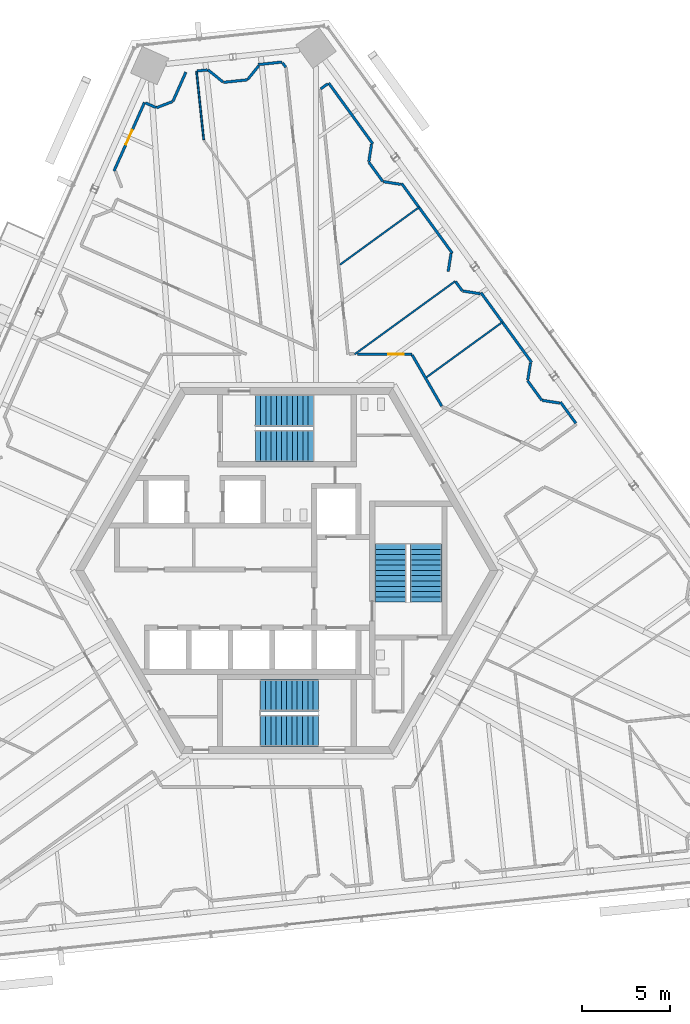
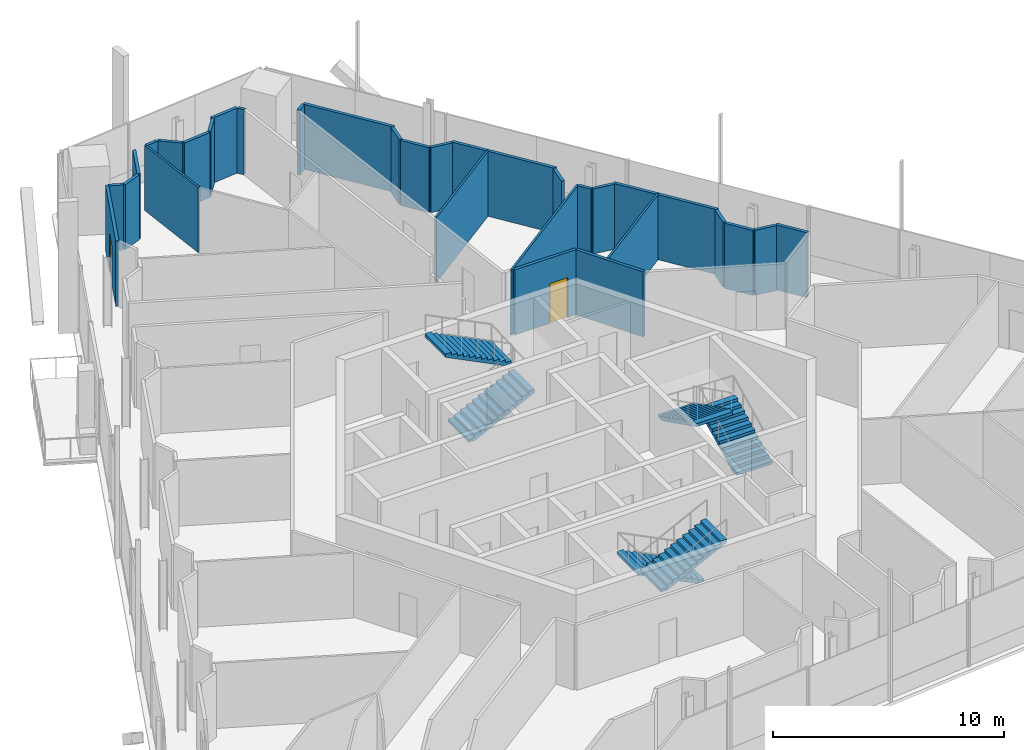
# One storey, part 15 of 21: 30 walls, 6 stair flights, 2 doors, 2 openings, 3 elements without a shape of their own.
"""IFC4 building model written with IfcOpenShell, lengths in metres."""

import ifcopenshell
import ifcopenshell.guid

model = None  # the IFC model being written
_history = None  # IfcOwnerHistory: only IFC2X3 demands one
_inside = {}  # id of a spatial element -> (the spatial element, [elements in it])
_under = {}  # id of a project, library or spatial element -> (it, [spatial elements below it])
_declared = {}  # id of a project -> (the project, [libraries it declares])
_typed = {}  # id of a type object -> (the type object, [elements of that type])
_made_of = {}  # id of a material, layer set ... -> (it, [elements and type objects made of it])


def new_model(schema):
    """Start an empty IFC model of exactly this schema.

    Asked for "IFC4X3", IfcOpenShell would pick the latest addendum, in which some entities
    have other attributes; the version numbers below select the first issue.
    IFC2X3 requires an IfcOwnerHistory on every rooted entity: one is made here for all.
    """
    global model, _history
    if schema == "IFC4X3":
        model = ifcopenshell.file(schema_version=(4, 3, 0, 0))
    else:
        model = ifcopenshell.file(schema=schema)
    _inside.clear()
    _under.clear()
    _declared.clear()
    _typed.clear()
    _made_of.clear()
    _history = None
    if model.schema == "IFC2X3":
        org = make("IfcOrganization", Name="unknown")
        user = make(
            "IfcPersonAndOrganization",
            ThePerson=make("IfcPerson", FamilyName="unknown"),
            TheOrganization=org,
        )
        app = make(
            "IfcApplication",
            ApplicationDeveloper=org,
            Version="unknown",
            ApplicationFullName="unknown",
            ApplicationIdentifier="unknown",
        )
        _history = make(
            "IfcOwnerHistory",
            OwningUser=user,
            OwningApplication=app,
            ChangeAction="ADDED",
            CreationDate=0,
        )
    return model


def make(cls, **values):
    """One entity of the class cls with the attributes given. An attribute that is None is left unset."""
    return model.create_entity(
        cls, **{name: value for name, value in values.items() if value is not None}
    )


def rooted(cls, **values):
    """An entity with a GlobalId (a new one), such as an element, a storey or a relation."""
    return make(cls, GlobalId=ifcopenshell.guid.new(), OwnerHistory=_history, **values)


def si_unit(unit_type, name, prefix=None):
    """IfcSIUnit, for example si_unit("LENGTHUNIT", "METRE", prefix="MILLI")."""
    return make("IfcSIUnit", UnitType=unit_type, Prefix=prefix, Name=name)


def assignment(units):
    """IfcUnitAssignment: the units of a project."""
    return None if units is None else make("IfcUnitAssignment", Units=units)


def point(xyz):
    """IfcCartesianPoint."""
    return None if xyz is None else make("IfcCartesianPoint", Coordinates=xyz)


def direction(xyz):
    """IfcDirection."""
    return None if xyz is None else make("IfcDirection", DirectionRatios=xyz)


def frame(location, z_axis=None, x_axis=None):
    """IfcAxis2Placement3D, a coordinate frame: its origin and axes. An axis left out is left unset."""
    return make(
        "IfcAxis2Placement3D",
        Location=point(location),
        Axis=direction(z_axis),
        RefDirection=direction(x_axis),
    )


def frame_2d(location, x_axis=None):
    """IfcAxis2Placement2D, a coordinate frame in the plane: its origin and x axis."""
    return make(
        "IfcAxis2Placement2D", Location=point(location), RefDirection=direction(x_axis)
    )


def origin():
    """The frame at (0, 0, 0) with its axes left unset."""
    return frame((0.0, 0.0, 0.0))


def place(relative_to, where):
    """IfcLocalPlacement: puts the frame where relative to a parent placement (None: the world)."""
    return make(
        "IfcLocalPlacement", PlacementRelTo=relative_to, RelativePlacement=where
    )


def context(
    kind, dimensions, precision=None, world=None, true_north=None, identifier=None
):
    """IfcGeometricRepresentationContext, for example the 3D "Model" context."""
    return make(
        "IfcGeometricRepresentationContext",
        ContextIdentifier=identifier,
        ContextType=kind,
        CoordinateSpaceDimension=dimensions,
        Precision=precision,
        WorldCoordinateSystem=world,
        TrueNorth=true_north,
    )


def subcontext(parent, identifier, kind, view, scale=None):
    """IfcGeometricRepresentationSubContext, for example "Body" below "Model"."""
    return make(
        "IfcGeometricRepresentationSubContext",
        ContextIdentifier=identifier,
        ContextType=kind,
        ParentContext=parent,
        TargetScale=scale,
        TargetView=view,
    )


def project(units=None, contexts=None):
    """IfcProject with its units and contexts."""
    return rooted(
        "IfcProject",
        Name="project",
        RepresentationContexts=contexts,
        UnitsInContext=assignment(units),
    )


def spatial(cls, under=None, at=None, **own):
    """A site, building, storey or space (cls), placed at a placement, below another one or the project."""
    s = rooted(cls, ObjectPlacement=at, **own)
    if under is not None:
        _under.setdefault(under.id(), (under, []))[1].append(s)
    return s


def polyline(points):
    """IfcPolyline through the points."""
    return make("IfcPolyline", Points=[point(p) for p in points])


def profile(cls, at=None, kind="AREA", **sizes):
    """A parametric profile (cls). Its sizes go by their IFC names, for example OverallWidth=200.0."""
    return make(cls, ProfileType=kind, Position=at, **sizes)


def rectangle(**sizes):
    """IfcRectangleProfileDef."""
    return profile("IfcRectangleProfileDef", **sizes)


def outline(outer, holes=None, kind="AREA"):
    """IfcArbitraryClosedProfileDef: a profile drawn as a closed curve; with holes, ...WithVoids."""
    if holes is None:
        return make("IfcArbitraryClosedProfileDef", ProfileType=kind, OuterCurve=outer)
    return make(
        "IfcArbitraryProfileDefWithVoids",
        ProfileType=kind,
        OuterCurve=outer,
        InnerCurves=holes,
    )


def extrude(swept, where, along, depth):
    """IfcExtrudedAreaSolid: the profile swept, set in the frame where, extruded along a direction by depth."""
    return make(
        "IfcExtrudedAreaSolid",
        SweptArea=swept,
        Position=where,
        ExtrudedDirection=direction(along),
        Depth=depth,
    )


def shape(context_of_items, identifier, shape_type, items):
    """IfcShapeRepresentation: the items that make up one representation, for example the "Body"."""
    return make(
        "IfcShapeRepresentation",
        ContextOfItems=context_of_items,
        RepresentationIdentifier=identifier,
        RepresentationType=shape_type,
        Items=items,
    )


def source(mapping_origin, context_of_items, identifier, shape_type, items):
    """IfcRepresentationMap: a shape defined once, which mapped items show again and again."""
    return make(
        "IfcRepresentationMap",
        MappingOrigin=mapping_origin,
        MappedRepresentation=shape(context_of_items, identifier, shape_type, items),
    )


def transform(
    local_origin,
    x_axis=None,
    y_axis=None,
    z_axis=None,
    scale=None,
    scale2=None,
    scale3=None,
    uniform=True,
):
    """IfcCartesianTransformationOperator3D, or its non-uniform kind. x_axis, y_axis, z_axis: its Axis1, 2, 3."""
    if uniform:
        return make(
            "IfcCartesianTransformationOperator3D",
            Axis1=direction(x_axis),
            Axis2=direction(y_axis),
            LocalOrigin=point(local_origin),
            Scale=scale,
            Axis3=direction(z_axis),
        )
    return make(
        "IfcCartesianTransformationOperator3DnonUniform",
        Axis1=direction(x_axis),
        Axis2=direction(y_axis),
        LocalOrigin=point(local_origin),
        Scale=scale,
        Axis3=direction(z_axis),
        Scale2=scale2,
        Scale3=scale3,
    )


def mapped(mapping_source, mapping_target):
    """IfcMappedItem: shows the shape of a source again, moved by a transform."""
    return make(
        "IfcMappedItem", MappingSource=mapping_source, MappingTarget=mapping_target
    )


def material(Name=None, Category=None):
    """IfcMaterial."""
    return make("IfcMaterial", Name=Name, Category=Category)


def layer(
    of_material, thickness, ventilated=None, Name=None, Category=None, Priority=None
):
    """IfcMaterialLayer: one layer of a wall or slab, of a material (None: an air gap)."""
    return make(
        "IfcMaterialLayer",
        Material=of_material,
        LayerThickness=thickness,
        IsVentilated=ventilated,
        Name=Name,
        Category=Category,
        Priority=Priority,
    )


def layer_set(layers, Name=None):
    """IfcMaterialLayerSet."""
    return make("IfcMaterialLayerSet", MaterialLayers=layers, LayerSetName=Name)


def made_of(thing, what):
    """Note that an element or type object is made of a material, layer set ...; save() writes the relation."""
    if what is not None:
        _made_of.setdefault(what.id(), (what, []))[1].append(thing)
    return thing


def type_object(cls, material=None, **own):
    """A type object (cls), such as IfcWallType, which elements share."""
    return made_of(rooted(cls, **own), material)


def element(
    cls,
    number,
    at=None,
    inside=None,
    cuts=None,
    type_object=None,
    material=None,
    context=None,
    identifier="Body",
    shape_type=None,
    held_by="IfcProductDefinitionShape",
    body=None,
    shapes=None,
    **own,
):
    """One element of the class cls, such as IfcWall. Its Tag is "e" and its number.

    at: its placement. inside: the storey or other place that contains it. cuts: it is an
    opening in that element (IfcRelVoidsElement). A single representation is given by context,
    identifier, shape_type and body (its items); several are given by shapes. held_by: the class
    of the entity that holds the representations. save() writes the other relations.
    """
    e = rooted(cls, Tag="e%d" % number, ObjectPlacement=at, **own)
    if body is not None:
        shapes = [shape(context, identifier, shape_type, body)]
    if shapes is not None:
        e.Representation = make(held_by, Representations=shapes)
    if inside is not None:
        _inside.setdefault(inside.id(), (inside, []))[1].append(e)
    if cuts is not None:
        rooted(
            "IfcRelVoidsElement", RelatingBuildingElement=cuts, RelatedOpeningElement=e
        )
    if type_object is not None:
        _typed.setdefault(type_object.id(), (type_object, []))[1].append(e)
    return made_of(e, material)


def fill(opening, filler):
    """IfcRelFillsElement: the door or window that sits in an opening."""
    return rooted(
        "IfcRelFillsElement",
        RelatingOpeningElement=opening,
        RelatedBuildingElement=filler,
    )


def aggregate(whole, parts):
    """IfcRelAggregates: a whole, such as a stair, and the parts it consists of."""
    return rooted("IfcRelAggregates", RelatingObject=whole, RelatedObjects=parts)


def save(model, path):
    """Write the relations noted so far, then the file.

    IfcRelAggregates (storeys below a building ...), IfcRelContainedInSpatialStructure (elements
    in a storey), IfcRelDefinesByType, IfcRelAssociatesMaterial and IfcRelDeclares: one each for
    every whole, place, type object, material and project.
    """
    for whole, parts in _under.values():
        aggregate(whole, parts)
    for where, things in _inside.values():
        rooted(
            "IfcRelContainedInSpatialStructure",
            RelatedElements=things,
            RelatingStructure=where,
        )
    for kind, things in _typed.values():
        rooted("IfcRelDefinesByType", RelatedObjects=things, RelatingType=kind)
    for what, things in _made_of.values():
        rooted("IfcRelAssociatesMaterial", RelatedObjects=things, RelatingMaterial=what)
    for by, libraries in _declared.values():
        rooted("IfcRelDeclares", RelatingContext=by, RelatedDefinitions=libraries)
    model.write(path)


model = new_model("IFC4")

# Units and contexts
model_context = context("Model", 3, precision=1e-05, world=origin(), true_north=direction((0.0, 1.0)))
body_context = subcontext(model_context, "Body", "Model", "MODEL_VIEW")
ifc_project = project(units=[si_unit("LENGTHUNIT", "METRE"), si_unit("AREAUNIT", "SQUARE_METRE"), si_unit("VOLUMEUNIT", "CUBIC_METRE"), si_unit("PLANEANGLEUNIT", "RADIAN"), si_unit("MASSUNIT", "GRAM", prefix="KILO")], contexts=[model_context])

# Site, building, storey
site_placement = place(None, origin())
site = spatial("IfcSite", under=ifc_project, at=site_placement, CompositionType="ELEMENT")
building_placement = place(site_placement, origin())
building = spatial("IfcBuilding", under=site, at=building_placement, Name="Triune Harvest Tower", CompositionType="ELEMENT")
storey_placement = place(building_placement, frame((0.0, 0.0, 248.5)))
storey = spatial("IfcBuildingStorey", under=building, at=storey_placement, Name="L65", CompositionType="ELEMENT", Elevation=248.5)

# Walls
ifc_material_1 = material(Name="Gypsum board on steel studs", Category="steel")
ifc_layer_1 = layer(ifc_material_1, 0.14990234375)
ifc_layer_set_1 = layer_set([ifc_layer_1], Name="Gypsum board on steel studs")
wall_type_1 = type_object("IfcWallType", Name="Fire Partition 150 mm", PredefinedType="PARTITIONING", material=ifc_layer_set_1)
wall_1_placement = place(storey_placement, frame((7.1220703125, 12.2490234375, 0.0), z_axis=(0.0, 0.0, 1.0), x_axis=(0.499986818241, -0.866033014143, 0.0)))
element("IfcWall", 1, at=wall_1_placement, inside=storey, type_object=wall_type_1, Name="Partition L65 023", PredefinedType="PARTITIONING", context=body_context, shape_type="SweptSolid", body=[
    extrude(rectangle(XDim=3.357421875, YDim=0.14990234375, at=frame_2d((1.6787109375, 0.0))), origin(), (0.0, 0.0, 1.0), 3.43994140625),
])
wall_2_placement = place(storey_placement, frame((4.65234375, 23.209228515625, 0.0), z_axis=(0.0, 0.0, 1.0), x_axis=(0.587693492986, -0.809083653463, 0.0)))
element("IfcWall", 2, at=wall_2_placement, inside=storey, type_object=wall_type_1, Name="Partition L65 032", PredefinedType="PARTITIONING", context=body_context, shape_type="SweptSolid", body=[
    extrude(rectangle(XDim=1.3662109375, YDim=0.14990234375, at=frame_2d((0.68310546875, 0.0))), origin(), (0.0, 0.0, 1.0), 3.43994140625),
])
wall_3_placement = place(storey_placement, frame((9.583251953125, 16.421875, 0.0), z_axis=(0.0, 0.0, 1.0), x_axis=(0.587552414336, -0.809186109871, 0.0)))
element("IfcWall", 3, at=wall_3_placement, inside=storey, type_object=wall_type_1, Name="Partition L65 033", PredefinedType="PARTITIONING", context=body_context, shape_type="SweptSolid", body=[
    extrude(rectangle(XDim=0.656494140625, YDim=0.14990234375, at=frame_2d((0.328125, 0.0))), origin(), (0.0, 0.0, 1.0), 3.43994140625),
])
wall_4_placement = place(storey_placement, frame((6.515625, 22.00146484375, 0.0), z_axis=(0.0, 0.0, 1.0), x_axis=(0.587816204595, -0.808994505306, 0.0)))
element("IfcWall", 4, at=wall_4_placement, inside=storey, type_object=wall_type_1, Name="Partition L65 037", PredefinedType="PARTITIONING", context=body_context, shape_type="SweptSolid", body=[
    extrude(rectangle(XDim=4.90087890625, YDim=0.14990234375, at=frame_2d((2.450439453125, 0.0))), origin(), (0.0, 0.0, 1.0), 3.43994140625),
])
wall_5_placement = place(storey_placement, frame((-4.479736328125, 28.44873046875, 0.0), z_axis=(0.0, 0.0, 1.0), x_axis=(0.777213824307, -0.629236578169, 0.0)))
element("IfcWall", 5, at=wall_5_placement, inside=storey, type_object=wall_type_1, Name="Partition L65 047", PredefinedType="PARTITIONING", context=body_context, shape_type="SweptSolid", body=[
    extrude(rectangle(XDim=1.098876953125, YDim=0.14990234375, at=frame_2d((0.54931640625, 0.0))), origin(), (0.0, 0.0, 1.0), 3.43994140625),
])
wall_6_placement = place(storey_placement, frame((-6.476806640625, 26.65283203125, 0.0), z_axis=(0.0, 0.0, 1.0), x_axis=(0.406710521347, 0.913557087338, 0.0)))
element("IfcWall", 6, at=wall_6_placement, inside=storey, type_object=wall_type_1, Name="Partition L65 125", PredefinedType="PARTITIONING", context=body_context, shape_type="SweptSolid", body=[
    extrude(rectangle(XDim=1.8212890625, YDim=0.14990234375, at=frame_2d((0.91064453125, 0.0))), origin(), (0.0, 0.0, 1.0), 3.43994140625),
])

# Wall, opening, door
wall_7_placement = place(storey_placement, frame((-9.81787109375, 22.703857421875, 0.0), z_axis=(0.0, 0.0, 1.0), x_axis=(0.406717967616, 0.913553772264, 0.0)))
wall_7 = element("IfcWall", 7, at=wall_7_placement, inside=storey, type_object=wall_type_1, Name="Partition L65 137", PredefinedType="PARTITIONING", context=body_context, shape_type="SweptSolid", body=[
    extrude(rectangle(XDim=4.260009765625, YDim=0.14990234375, at=frame_2d((2.1298828125, 0.0))), origin(), (0.0, 0.0, 1.0), 3.43994140625),
])
opening_1_placement = place(wall_7_placement, frame((1.650390625, 0.0, 0.0)))
opening_1 = element("IfcOpeningElement", 8, at=opening_1_placement, cuts=wall_7, Name="Opening L65-010", PredefinedType="OPENING", context=body_context, shape_type="SweptSolid", body=[
    extrude(rectangle(XDim=0.89990234375, YDim=2.10009765625, at=frame_2d((0.449951171875, 1.050048828125))), frame((0.0, 0.0849609375, 0.0), z_axis=(0.0, -1.0, 0.0), x_axis=(1.0, 0.0, 0.0)), (0.0, 0.0, 1.0), 0.169921875),
])
ifc_material_2 = material(Name="Timber and steel door set", Category="steel")
door_type = type_object("IfcDoorType", Name="Single leaf door FD30 right hand 900 x 2100", OperationType="SINGLE_SWING_RIGHT", PredefinedType="DOOR", material=ifc_material_2)
door_1_placement = place(opening_1_placement, origin())
door_1 = element("IfcDoor", 9, at=door_1_placement, inside=storey, type_object=door_type, Name="Door L65-010 Project Room 65.10", OperationType="SINGLE_SWING_RIGHT", OverallHeight=2.10009765625, OverallWidth=0.89990234375, PredefinedType="DOOR", context=body_context, shape_type="SweptSolid", body=[
    extrude(rectangle(XDim=0.89990234375, YDim=2.10009765625, at=frame_2d((0.449951171875, 1.050048828125))), frame((0.0, 0.02490234375, 0.0), z_axis=(0.0, -1.0, 0.0), x_axis=(1.0, 0.0, 0.0)), (0.0, 0.0, 1.0), 0.050048828125),
])
fill(opening_1, door_1)

# Walls
ifc_material_3 = material(Name="Gypsum board on steel studs", Category="steel")
ifc_layer_2 = layer(ifc_material_3, 0.10009765625)
ifc_layer_set_2 = layer_set([ifc_layer_2], Name="Gypsum board on steel studs")
wall_type_2 = type_object("IfcWallType", Name="Partition 100 mm", PredefinedType="PARTITIONING", material=ifc_layer_set_2)
wall_8_placement = place(storey_placement, frame((-5.1328125, 28.380126953125, 0.0), z_axis=(0.0, 0.0, 1.0), x_axis=(0.104500548609, -0.994524828921, 0.0)))
element("IfcWall", 10, at=wall_8_placement, inside=storey, type_object=wall_type_2, Name="Partition L65 002", PredefinedType="PARTITIONING", context=body_context, shape_type="SweptSolid", body=[
    extrude(rectangle(XDim=3.931884765625, YDim=0.10009765625, at=frame_2d((1.9658203125, 0.0))), origin(), (0.0, 0.0, 1.0), 3.43994140625),
])
wall_9_placement = place(storey_placement, frame((7.8759765625, 10.943115234375, 0.0), z_axis=(0.0, 0.0, 1.0), x_axis=(0.809039042286, 0.587754904749, 0.0)))
element("IfcWall", 11, at=wall_9_placement, inside=storey, type_object=wall_type_2, Name="Partition L65 106", PredefinedType="PARTITIONING", context=body_context, shape_type="SweptSolid", body=[
    extrude(rectangle(XDim=5.3994140625, YDim=0.10009765625, at=frame_2d((2.69970703125, 0.0))), origin(), (0.0, 0.0, 1.0), 3.43994140625),
])
wall_10_placement = place(storey_placement, frame((3.853759765625, 12.292236328125, 0.0), z_axis=(0.0, 0.0, 1.0), x_axis=(0.809009567806, 0.587795473951, 0.0)))
element("IfcWall", 12, at=wall_10_placement, inside=storey, type_object=wall_type_2, Name="Partition L65 107", PredefinedType="PARTITIONING", context=body_context, shape_type="SweptSolid", body=[
    extrude(rectangle(XDim=7.062255859375, YDim=0.10009765625, at=frame_2d((3.53125, 0.0))), origin(), (0.0, 0.0, 1.0), 3.43994140625),
])
wall_11_placement = place(storey_placement, frame((3.017578125, 17.3798828125, 0.0), z_axis=(0.0, 0.0, 1.0), x_axis=(0.809013889581, 0.587789525651, 0.0)))
element("IfcWall", 13, at=wall_11_placement, inside=storey, type_object=wall_type_2, Name="Partition L65 108", PredefinedType="PARTITIONING", context=body_context, shape_type="SweptSolid", body=[
    extrude(rectangle(XDim=5.546630859375, YDim=0.10009765625, at=frame_2d((2.7734375, 0.0))), origin(), (0.0, 0.0, 1.0), 3.43994140625),
])
shared_shape_1 = source(origin(), body_context, "Body", "SweptSolid", [
    extrude(rectangle(XDim=0.96826171875, YDim=0.14990234375, at=frame_2d((0.484130859375, 0.0))), origin(), (0.0, 0.0, 1.0), 3.43994140625),
])
wall_12_placement = place(storey_placement, frame((-7.4091796875, 26.295166015625, 0.0), z_axis=(0.0, 0.0, 1.0), x_axis=(0.933618255099, 0.358269387117, 0.0)))
element("IfcWall", 14, at=wall_12_placement, inside=storey, type_object=wall_type_1, Name="Partition L65 096", PredefinedType="PARTITIONING", context=body_context, shape_type="MappedRepresentation", body=[
    mapped(shared_shape_1, transform((0.0, 0.0, 0.0), scale=1.0)),
])

# Wall, opening, door
shared_shape_2 = source(origin(), body_context, "Body", "SweptSolid", [
    extrude(rectangle(XDim=3.093017578125, YDim=0.14990234375, at=frame_2d((1.54638671875, 0.0))), origin(), (0.0, 0.0, 1.0), 3.43994140625),
])
wall_13_placement = place(storey_placement, frame((4.00390625, 12.292236328125, 0.0), z_axis=(0.0, 0.0, 1.0), x_axis=(1.0, 0.0, 0.0)))
wall_13 = element("IfcWall", 15, at=wall_13_placement, inside=storey, type_object=wall_type_1, Name="Partition L65 070", PredefinedType="PARTITIONING", context=body_context, shape_type="MappedRepresentation", body=[
    mapped(shared_shape_2, transform((0.0, 0.0, 0.0), scale=1.0)),
])
opening_2_placement = place(wall_13_placement, frame((1.7431640625, 0.0, 0.0)))
opening_2 = element("IfcOpeningElement", 16, at=opening_2_placement, cuts=wall_13, Name="Opening L65-004", PredefinedType="OPENING", context=body_context, shape_type="SweptSolid", body=[
    extrude(rectangle(XDim=0.89990234375, YDim=2.10009765625, at=frame_2d((0.449951171875, 1.050048828125))), frame((0.0, 0.0849609375, 0.0), z_axis=(0.0, -1.0, 0.0), x_axis=(1.0, 0.0, 0.0)), (0.0, 0.0, 1.0), 0.169921875),
])
door_2_placement = place(opening_2_placement, origin())
door_2 = element("IfcDoor", 17, at=door_2_placement, inside=storey, type_object=door_type, Name="Door L65-004 Print room 65.04", OperationType="SINGLE_SWING_RIGHT", OverallHeight=2.10009765625, OverallWidth=0.89990234375, PredefinedType="DOOR", context=body_context, shape_type="SweptSolid", body=[
    extrude(rectangle(XDim=0.89990234375, YDim=2.10009765625, at=frame_2d((0.449951171875, 1.050048828125))), frame((0.0, 0.02490234375, 0.0), z_axis=(0.0, -1.0, 0.0), x_axis=(1.0, 0.0, 0.0)), (0.0, 0.0, 1.0), 0.050048828125),
])
fill(opening_2, door_2)

# Walls
shared_shape_3 = source(origin(), body_context, "Body", "SweptSolid", [
    extrude(rectangle(XDim=1.36669921875, YDim=0.14990234375, at=frame_2d((0.683349609375, 0.0))), origin(), (0.0, 0.0, 1.0), 3.43994140625),
])
wall_14_placement = place(storey_placement, frame((-3.6025390625, 27.73828125, 0.0), z_axis=(0.0, 0.0, 1.0), x_axis=(0.99452403602, 0.104508094319, 0.0)))
element("IfcWall", 18, at=wall_14_placement, inside=storey, type_object=wall_type_1, Name="Partition L65 087", PredefinedType="PARTITIONING", context=body_context, shape_type="MappedRepresentation", body=[
    mapped(shared_shape_3, transform((0.0, 0.0, 0.0), scale=1.0)),
])
shared_shape_4 = source(origin(), body_context, "Body", "SweptSolid", [
    extrude(rectangle(XDim=0.50146484375, YDim=0.14990234375, at=frame_2d((0.250732421875, 0.0))), origin(), (0.0, 0.0, 1.0), 3.43994140625),
])
wall_15_placement = place(storey_placement, frame((1.92431640625, 27.365966796875, 0.0), z_axis=(0.0, 0.0, 1.0), x_axis=(0.809135899417, 0.587621558722, 0.0)))
element("IfcWall", 19, at=wall_15_placement, inside=storey, type_object=wall_type_1, Name="Partition L65 110", PredefinedType="PARTITIONING", context=body_context, shape_type="MappedRepresentation", body=[
    mapped(shared_shape_4, transform((0.0, 0.0, 0.0), scale=1.0)),
])
shared_shape_5 = source(origin(), body_context, "Body", "SweptSolid", [
    extrude(rectangle(XDim=0.65966796875, YDim=0.14990234375, at=frame_2d((0.329833984375, 0.0))), origin(), (0.0, 0.0, 1.0), 3.43994140625),
])
wall_16_placement = place(storey_placement, frame((-8.0390625, 26.57568359375, 0.0), z_axis=(0.0, 0.0, 1.0), x_axis=(0.913521304036, -0.406790888629, 0.0)))
element("IfcWall", 20, at=wall_16_placement, inside=storey, type_object=wall_type_1, Name="Partition L65 061", PredefinedType="PARTITIONING", context=body_context, shape_type="MappedRepresentation", body=[
    mapped(shared_shape_5, transform((0.0, 0.0, 0.0), scale=1.0)),
])
shared_shape_6 = source(origin(), body_context, "Body", "SweptSolid", [
    extrude(rectangle(XDim=0.998779296875, YDim=0.14990234375, at=frame_2d((0.49951171875, 0.0))), origin(), (0.0, 0.0, 1.0), 3.43994140625),
])
for number, where, z_axis, x_axis, name in (
    (21, (5.484619140625, 22.0986328125, 0.0), (0.0, 0.0, 1.0), (0.987689531031, -0.15642694874, 0.0), "Partition L65 066"),
    (22, (-2.224609375, 27.904541015625, 0.0), (0.0, 0.0, 1.0), (0.629423217543, 0.77706268294, 0.0), "Partition L65 117"),
    (23, (13.68408203125, 10.81298828125, 0.0), (0.0, 0.0, 1.0), (0.15642694874, 0.987689531031, 0.0), "Partition L65 140"),
    (24, (4.656494140625, 23.238525390625, 0.0), (0.0, 0.0, 1.0), (0.15642694874, 0.987689531031, 0.0), "Partition L65 142"),
):
    element("IfcWall", number, at=place(storey_placement, frame(where, z_axis=z_axis, x_axis=x_axis)), inside=storey, type_object=wall_type_1, Name=name, PredefinedType="PARTITIONING", context=body_context, shape_type="MappedRepresentation", body=[
        mapped(shared_shape_6, transform((0.0, 0.0, 0.0), scale=1.0)),
    ])
shared_shape_7 = source(origin(), body_context, "Body", "SweptSolid", [
    extrude(rectangle(XDim=0.9990234375, YDim=0.14990234375, at=frame_2d((0.49951171875, 0.0))), origin(), (0.0, 0.0, 1.0), 3.43994140625),
])
for number, where, z_axis, x_axis, name in (
    (25, (14.51220703125, 9.673095703125, 0.0), (0.0, 0.0, 1.0), (0.987695509603, -0.156389194989, 0.0), "Partition L65 064"),
    (26, (9.998291015625, 15.8857421875, 0.0), (0.0, 0.0, 1.0), (0.987695509603, -0.156389194989, 0.0), "Partition L65 065"),
):
    element("IfcWall", number, at=place(storey_placement, frame(where, z_axis=z_axis, x_axis=x_axis)), inside=storey, type_object=wall_type_1, Name=name, PredefinedType="PARTITIONING", context=body_context, shape_type="MappedRepresentation", body=[
        mapped(shared_shape_7, transform((0.0, 0.0, 0.0), scale=1.0)),
    ])
shared_shape_8 = source(origin(), body_context, "Body", "SweptSolid", [
    extrude(rectangle(XDim=1.355712890625, YDim=0.14990234375, at=frame_2d((0.677734375, 0.0))), origin(), (0.0, 0.0, 1.0), 3.43994140625),
])
wall_17_placement = place(storey_placement, frame((-1.623046875, 28.7490234375, 0.0), z_axis=(0.0, 0.0, 1.0), x_axis=(0.994531076983, 0.104441069102, 0.0)))
element("IfcWall", 27, at=wall_17_placement, inside=storey, type_object=wall_type_1, Name="Partition L65 089", PredefinedType="PARTITIONING", context=body_context, shape_type="MappedRepresentation", body=[
    mapped(shared_shape_8, transform((0.0, 0.0, 0.0), scale=1.0)),
])
shared_shape_9 = source(origin(), body_context, "Body", "SweptSolid", [
    extrude(rectangle(XDim=0.319091796875, YDim=0.14990234375, at=frame_2d((0.15966796875, 0.0))), origin(), (0.0, 0.0, 1.0), 3.43994140625),
])
wall_18_placement = place(storey_placement, frame((-0.247802734375, 28.851318359375, 0.0), z_axis=(0.0, 0.0, 1.0), x_axis=(0.587807568074, -0.80900078054, 0.0)))
element("IfcWall", 28, at=wall_18_placement, inside=storey, type_object=wall_type_1, Name="Partition L65 030", PredefinedType="PARTITIONING", context=body_context, shape_type="MappedRepresentation", body=[
    mapped(shared_shape_9, transform((0.0, 0.0, 0.0), scale=1.0)),
])
shared_shape_10 = source(origin(), body_context, "Body", "SweptSolid", [
    extrude(rectangle(XDim=1.366455078125, YDim=0.14990234375, at=frame_2d((0.68310546875, 0.0))), origin(), (0.0, 0.0, 1.0), 3.43994140625),
])
wall_19_placement = place(storey_placement, frame((13.679443359375, 10.783203125, 0.0), z_axis=(0.0, 0.0, 1.0), x_axis=(0.587810444394, -0.808998690643, 0.0)))
element("IfcWall", 29, at=wall_19_placement, inside=storey, type_object=wall_type_1, Name="Partition L65 034", PredefinedType="PARTITIONING", context=body_context, shape_type="MappedRepresentation", body=[
    mapped(shared_shape_10, transform((0.0, 0.0, 0.0), scale=1.0)),
])
shared_shape_11 = source(origin(), body_context, "Body", "SweptSolid", [
    extrude(rectangle(XDim=4.26025390625, YDim=0.14990234375, at=frame_2d((2.130126953125, 0.0))), origin(), (0.0, 0.0, 1.0), 3.43994140625),
])
wall_20_placement = place(storey_placement, frame((2.378173828125, 27.696044921875, 0.0), z_axis=(0.0, 0.0, 1.0), x_axis=(0.587800222867, -0.809006117404, 0.0)))
element("IfcWall", 30, at=wall_20_placement, inside=storey, type_object=wall_type_1, Name="Partition L65 036", PredefinedType="PARTITIONING", context=body_context, shape_type="MappedRepresentation", body=[
    mapped(shared_shape_11, transform((0.0, 0.0, 0.0), scale=1.0)),
])
shared_shape_12 = source(origin(), body_context, "Body", "SweptSolid", [
    extrude(rectangle(XDim=4.901123046875, YDim=0.14990234375, at=frame_2d((2.45068359375, 0.0))), origin(), (0.0, 0.0, 1.0), 3.43994140625),
])
wall_21_placement = place(storey_placement, frame((11.02978515625, 15.78857421875, 0.0), z_axis=(0.0, 0.0, 1.0), x_axis=(0.587759912311, -0.809035404343, 0.0)))
element("IfcWall", 31, at=wall_21_placement, inside=storey, type_object=wall_type_1, Name="Partition L65 038", PredefinedType="PARTITIONING", context=body_context, shape_type="MappedRepresentation", body=[
    mapped(shared_shape_12, transform((0.0, 0.0, 0.0), scale=1.0)),
])
shared_shape_13 = source(origin(), body_context, "Body", "SweptSolid", [
    extrude(rectangle(XDim=1.490478515625, YDim=0.14990234375, at=frame_2d((0.7451171875, 0.0))), origin(), (0.0, 0.0, 1.0), 3.43994140625),
])
wall_22_placement = place(storey_placement, frame((15.54345703125, 9.57568359375, 0.0), z_axis=(0.0, 0.0, 1.0), x_axis=(0.587850264343, -0.808969756364, 0.0)))
element("IfcWall", 32, at=wall_22_placement, inside=storey, type_object=wall_type_1, Name="Partition L65 039", PredefinedType="PARTITIONING", context=body_context, shape_type="MappedRepresentation", body=[
    mapped(shared_shape_13, transform((0.0, 0.0, 0.0), scale=1.0)),
])
shared_shape_14 = source(origin(), body_context, "Body", "SweptSolid", [
    extrude(rectangle(XDim=1.029052734375, YDim=0.14990234375, at=frame_2d((0.5146484375, 0.0))), origin(), (0.0, 0.0, 1.0), 3.43994140625),
])
wall_23_placement = place(storey_placement, frame((9.16552734375, 16.99609375, 0.0), z_axis=(0.0, 0.0, 1.0), x_axis=(0.15635243246, 0.987701329787, 0.0)))
element("IfcWall", 33, at=wall_23_placement, inside=storey, type_object=wall_type_1, Name="Partition L65 141", PredefinedType="PARTITIONING", context=body_context, shape_type="MappedRepresentation", body=[
    mapped(shared_shape_14, transform((0.0, 0.0, 0.0), scale=1.0)),
])
shared_shape_15 = source(origin(), body_context, "Body", "SweptSolid", [
    extrude(rectangle(XDim=0.58740234375, YDim=0.14990234375, at=frame_2d((0.293701171875, 0.0))), origin(), (0.0, 0.0, 1.0), 3.43994140625),
])
wall_24_placement = place(storey_placement, frame((-5.1015625, 28.383544921875, 0.0), z_axis=(0.0, 0.0, 1.0), x_axis=(0.994544098858, 0.104316994907, 0.0)))
element("IfcWall", 34, at=wall_24_placement, inside=storey, type_object=wall_type_1, Name="Partition L65 088", PredefinedType="PARTITIONING", context=body_context, shape_type="MappedRepresentation", body=[
    mapped(shared_shape_15, transform((0.0, 0.0, 0.0), scale=1.0)),
])

# Stair, stair flights
ifc_material_4 = material(Name="Concrete 40 MPa", Category="concrete")
stair_type = type_object("IfcStairType", Name="Exit stair 1800 half turn", PredefinedType="HALF_TURN_STAIR", material=ifc_material_4)
stair_1_placement = place(storey_placement, origin())
stair_1 = element("IfcStair", 35, at=stair_1_placement, inside=storey, type_object=stair_type, Name="Exit stair north", PredefinedType="HALF_TURN_STAIR")
ifc_material_5 = material(Name="Concrete 40 MPa", Category="concrete")
stair_flight_type = type_object("IfcStairFlightType", Name="Stair flight 1800", PredefinedType="STRAIGHT", material=ifc_material_5)
shared_shape_16 = source(origin(), body_context, "Body", "SweptSolid", [
    extrude(outline(polyline([(0.0, 0.0), (0.0, 0.14990234375), (0.300048828125, 0.14990234375), (0.300048828125, 0.300048828125), (0.60009765625, 0.300048828125), (0.60009765625, 0.449951171875), (0.89990234375, 0.449951171875), (0.89990234375, 0.60009765625), (1.199951171875, 0.60009765625), (1.199951171875, 0.75), (1.5, 0.75), (1.5, 0.89990234375), (1.800048828125, 0.89990234375), (1.800048828125, 1.050048828125), (2.10009765625, 1.050048828125), (2.10009765625, 1.199951171875), (2.39990234375, 1.199951171875), (2.39990234375, 1.35009765625), (2.699951171875, 1.35009765625), (2.699951171875, 1.5), (3.0, 1.5), (3.0, 1.64990234375), (3.300048828125, 1.64990234375), (3.300048828125, 1.800048828125), (3.300048828125, 1.482421875), (0.335205078125, 0.0), (0.0, 0.0)])), frame((0.0, 0.89990234375, 0.0), z_axis=(0.0, -1.0, 0.0), x_axis=(1.0, 0.0, 0.0)), (0.0, 0.0, 1.0), 1.800048828125),
])
stair_flight_1_placement = place(storey_placement, frame((-1.7900390625, 7.090087890625, 0.0), z_axis=(0.0, 0.0, 1.0), x_axis=(1.0, 0.0, 0.0)))
stair_flight_1 = element("IfcStairFlight", 36, at=stair_flight_1_placement, type_object=stair_flight_type, Name="ST-1 flight 1", NumberOfRisers=12, NumberOfTreads=11, PredefinedType="STRAIGHT", RiserHeight=0.15, TreadLength=0.3, context=body_context, shape_type="MappedRepresentation", body=[
    mapped(shared_shape_16, transform((0.0, 0.0, 0.0), scale=1.0)),
])
stair_flight_2_placement = place(storey_placement, frame((1.510009765625, 9.090087890625, 1.800048828125), z_axis=(0.0, 0.0, 1.0), x_axis=(-1.0, 0.0, 0.0)))
stair_flight_2 = element("IfcStairFlight", 37, at=stair_flight_2_placement, type_object=stair_flight_type, Name="ST-1 flight 2", NumberOfRisers=12, NumberOfTreads=11, PredefinedType="STRAIGHT", RiserHeight=0.15, TreadLength=0.3, context=body_context, shape_type="MappedRepresentation", body=[
    mapped(shared_shape_16, transform((0.0, 0.0, 0.0), scale=1.0)),
])
aggregate(stair_1, [stair_flight_1, stair_flight_2])

stair_2_placement = place(storey_placement, origin())
stair_2 = element("IfcStair", 38, at=stair_2_placement, inside=storey, type_object=stair_type, Name="Exit stair south", PredefinedType="HALF_TURN_STAIR")
stair_flight_3_placement = place(storey_placement, frame((1.7900390625, -7.090087890625, 0.0), z_axis=(0.0, 0.0, 1.0), x_axis=(-1.0, 0.0, 0.0)))
stair_flight_3 = element("IfcStairFlight", 39, at=stair_flight_3_placement, type_object=stair_flight_type, Name="ST-2 flight 1", NumberOfRisers=12, NumberOfTreads=11, PredefinedType="STRAIGHT", RiserHeight=0.15, TreadLength=0.3, context=body_context, shape_type="MappedRepresentation", body=[
    mapped(shared_shape_16, transform((0.0, 0.0, 0.0), scale=1.0)),
])
stair_flight_4_placement = place(storey_placement, frame((-1.510009765625, -9.090087890625, 1.800048828125), z_axis=(0.0, 0.0, 1.0), x_axis=(1.0, 0.0, 0.0)))
stair_flight_4 = element("IfcStairFlight", 40, at=stair_flight_4_placement, type_object=stair_flight_type, Name="ST-2 flight 2", NumberOfRisers=12, NumberOfTreads=11, PredefinedType="STRAIGHT", RiserHeight=0.15, TreadLength=0.3, context=body_context, shape_type="MappedRepresentation", body=[
    mapped(shared_shape_16, transform((0.0, 0.0, 0.0), scale=1.0)),
])
aggregate(stair_2, [stair_flight_3, stair_flight_4])

stair_3_placement = place(storey_placement, origin())
stair_3 = element("IfcStair", 41, at=stair_3_placement, inside=storey, type_object=stair_type, Name="Exit stair east", PredefinedType="HALF_TURN_STAIR")
stair_flight_5_placement = place(storey_placement, frame((7.89990234375, -1.7900390625, 0.0), z_axis=(0.0, 0.0, 1.0), x_axis=(0.0, 1.0, 0.0)))
stair_flight_5 = element("IfcStairFlight", 42, at=stair_flight_5_placement, type_object=stair_flight_type, Name="ST-3 flight 1", NumberOfRisers=12, NumberOfTreads=11, PredefinedType="STRAIGHT", RiserHeight=0.15, TreadLength=0.3, context=body_context, shape_type="MappedRepresentation", body=[
    mapped(shared_shape_16, transform((0.0, 0.0, 0.0), scale=1.0)),
])
stair_flight_6_placement = place(storey_placement, frame((5.89990234375, 1.510009765625, 1.800048828125), z_axis=(0.0, 0.0, 1.0), x_axis=(0.0, -1.0, 0.0)))
stair_flight_6 = element("IfcStairFlight", 43, at=stair_flight_6_placement, type_object=stair_flight_type, Name="ST-3 flight 2", NumberOfRisers=12, NumberOfTreads=11, PredefinedType="STRAIGHT", RiserHeight=0.15, TreadLength=0.3, context=body_context, shape_type="MappedRepresentation", body=[
    mapped(shared_shape_16, transform((0.0, 0.0, 0.0), scale=1.0)),
])
aggregate(stair_3, [stair_flight_5, stair_flight_6])

save(model, "model.ifc")
